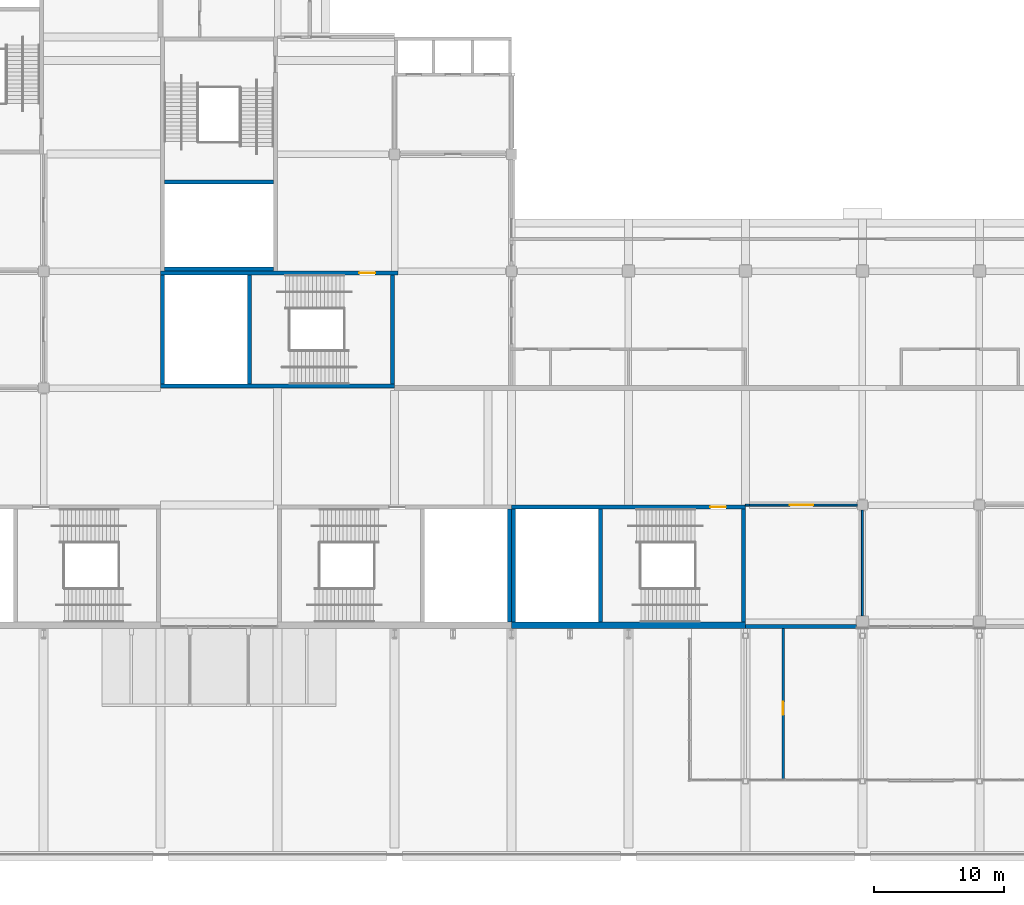
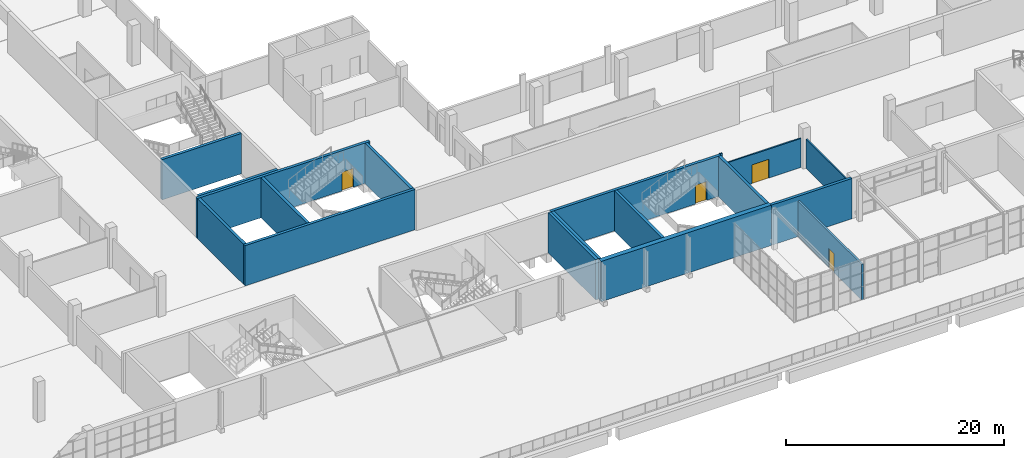
# One storey, part 93 of 168: 18 walls, 4 doors, 4 openings.
"""IFC4 building model written with IfcOpenShell, lengths in metres."""

from ifc_helpers import new_model, si_unit, direction, frame, frame_2d, origin, place, context, subcontext, project, spatial, rectangle, extrude, material, layer, layer_set, type_object, element, fill, save


model = new_model("IFC4")

# Units and contexts
model_context = context("Model", 3, precision=1e-05, world=origin(), true_north=direction((0.0, 1.0)))
body_context = subcontext(model_context, "Body", "Model", "MODEL_VIEW")
ifc_project = project(units=[si_unit("LENGTHUNIT", "METRE"), si_unit("AREAUNIT", "SQUARE_METRE"), si_unit("VOLUMEUNIT", "CUBIC_METRE"), si_unit("PLANEANGLEUNIT", "RADIAN"), si_unit("MASSUNIT", "GRAM", prefix="KILO")], contexts=[model_context])

# Site, building, storey
site_placement = place(None, origin())
site = spatial("IfcSite", under=ifc_project, at=site_placement, CompositionType="ELEMENT")
building_placement = place(site_placement, origin())
building = spatial("IfcBuilding", under=site, at=building_placement, Name="Silverbay Arena", CompositionType="ELEMENT")
storey_placement = place(building_placement, frame((0.0, 0.0, 7.0)))
storey = spatial("IfcBuildingStorey", under=building, at=storey_placement, Name="L01", CompositionType="ELEMENT", Elevation=7.0)

# Walls
ifc_material_1 = material(Name="Concrete Grade C45 precast, board-marked finish", Category="concrete")
ifc_layer_1 = layer(ifc_material_1, 0.300048828125)
ifc_layer_set_1 = layer_set([ifc_layer_1], Name="Concrete Grade C45 precast, board-marked finish")
wall_type_1 = type_object("IfcWallType", Name="Board-marked precast wall 300", PredefinedType="SOLIDWALL", material=ifc_layer_set_1)
wall_1_placement = place(storey_placement, frame((117.0, 17.64990234375, 0.0), z_axis=(0.0, 0.0, 1.0), x_axis=(1.0, 0.0, 0.0)))
element("IfcWall", 1, at=wall_1_placement, inside=storey, type_object=wall_type_1, Name="South external wall L01 bay 11", PredefinedType="SOLIDWALL", context=body_context, shape_type="SweptSolid", body=[
    extrude(rectangle(XDim=8.550048828125, YDim=0.300048828125, at=frame_2d((4.27490234375, 0.0))), origin(), (0.0, 0.0, 1.0), 4.5),
])
ifc_material_2 = material(Name="Concrete Grade C45", Category="concrete")
ifc_layer_2 = layer(ifc_material_2, 0.300048828125)
ifc_layer_set_2 = layer_set([ifc_layer_2], Name="Concrete Grade C45")
wall_type_2 = type_object("IfcWallType", Name="Core wall RC 300 EI 120", PredefinedType="SHEAR", material=ifc_layer_set_2)
wall_2_placement = place(storey_placement, frame((98.85009765625, 26.699951171875, 0.0), z_axis=(0.0, 0.0, 1.0), x_axis=(0.0, -1.0, 0.0)))
element("IfcWall", 2, at=wall_2_placement, inside=storey, type_object=wall_type_2, Name="Core wall ST-S1 L01 end 2", PredefinedType="SHEAR", context=body_context, shape_type="SweptSolid", body=[
    extrude(rectangle(XDim=8.699951171875, YDim=0.300048828125, at=frame_2d((4.35009765625, 0.0))), origin(), (0.0, 0.0, 1.0), 4.5),
])

# Wall, opening, door
wall_3_placement = place(storey_placement, frame((117.0, 26.85009765625, 0.0), z_axis=(0.0, 0.0, 1.0), x_axis=(-1.0, 0.0, 0.0)))
wall_3 = element("IfcWall", 3, at=wall_3_placement, inside=storey, type_object=wall_type_2, Name="Core wall ST-S2 L01 door side", PredefinedType="SHEAR", context=body_context, shape_type="SweptSolid", body=[
    extrude(rectangle(XDim=18.0, YDim=0.300048828125, at=frame_2d((9.0, 0.0))), origin(), (0.0, 0.0, 1.0), 4.5),
])
opening_1_placement = place(wall_3_placement, frame((1.5, 0.0, 0.0)))
opening_1 = element("IfcOpeningElement", 4, at=opening_1_placement, cuts=wall_3, Name="Opening L01-102", PredefinedType="OPENING", context=body_context, shape_type="SweptSolid", body=[
    extrude(rectangle(XDim=1.199951171875, YDim=2.10009765625, at=frame_2d((0.60009765625, 1.050048828125))), frame((0.0, 0.16015625, 0.0), z_axis=(0.0, -1.0, 0.0), x_axis=(1.0, 0.0, 0.0)), (0.0, 0.0, 1.0), 0.320068359375),
])
ifc_material_3 = material(Name="Steel fire door", Category="steel")
door_type_1 = type_object("IfcDoorType", Name="Stair door 1200 x 2100 fire door", OperationType="SINGLE_SWING_LEFT", PredefinedType="DOOR", material=ifc_material_3)
door_1_placement = place(opening_1_placement, origin())
door_1 = element("IfcDoor", 5, at=door_1_placement, inside=storey, type_object=door_type_1, Name="Stair door ST-S2 L01", OperationType="SINGLE_SWING_LEFT", OverallHeight=2.10009765625, OverallWidth=1.199951171875, PredefinedType="DOOR", context=body_context, shape_type="SweptSolid", body=[
    extrude(rectangle(XDim=1.199951171875, YDim=2.10009765625, at=frame_2d((0.60009765625, 1.050048828125))), frame((0.0, 0.02490234375, 0.0), z_axis=(0.0, -1.0, 0.0), x_axis=(1.0, 0.0, 0.0)), (0.0, 0.0, 1.0), 0.050048828125),
])
fill(opening_1, door_1)

# Walls
for number, where, z_axis, x_axis, name in (
    (6, (116.85009765625, 26.699951171875, 0.0), (0.0, 0.0, 1.0), (0.0, -1.0, 0.0), "Core wall ST-S2 L01 end 1"),
    (7, (99.14990234375, 26.699951171875, 0.0), (0.0, 0.0, 1.0), (0.0, -1.0, 0.0), "Core wall ST-S2 L01 end 2"),
    (8, (105.85009765625, 26.699951171875, 0.0), (0.0, 0.0, 1.0), (0.0, -1.0, 0.0), "Core wall ST-S2 L01 stair enclosure"),
):
    element("IfcWall", number, at=place(storey_placement, frame(where, z_axis=z_axis, x_axis=x_axis)), inside=storey, type_object=wall_type_2, Name=name, PredefinedType="SHEAR", context=body_context, shape_type="SweptSolid", body=[
        extrude(rectangle(XDim=8.699951171875, YDim=0.300048828125, at=frame_2d((4.35009765625, 0.0))), origin(), (0.0, 0.0, 1.0), 4.5),
    ])

# Wall, opening, door
wall_4_placement = place(storey_placement, frame((90.25, 44.85009765625, 0.0), z_axis=(0.0, 0.0, 1.0), x_axis=(-1.0, 0.0, 0.0)))
wall_4 = element("IfcWall", 9, at=wall_4_placement, inside=storey, type_object=wall_type_2, Name="Core wall ST-SW1 L01 door side", PredefinedType="SHEAR", context=body_context, shape_type="SweptSolid", body=[
    extrude(rectangle(XDim=18.25, YDim=0.300048828125, at=frame_2d((9.125, 0.0))), origin(), (0.0, 0.0, 1.0), 4.5),
])
opening_2_placement = place(wall_4_placement, frame((1.75, 0.0, 0.0)))
opening_2 = element("IfcOpeningElement", 10, at=opening_2_placement, cuts=wall_4, Name="Opening L01-117", PredefinedType="OPENING", context=body_context, shape_type="SweptSolid", body=[
    extrude(rectangle(XDim=1.199951171875, YDim=2.10009765625, at=frame_2d((0.60009765625, 1.050048828125))), frame((0.0, 0.16015625, 0.0), z_axis=(0.0, -1.0, 0.0), x_axis=(1.0, 0.0, 0.0)), (0.0, 0.0, 1.0), 0.320068359375),
])
door_2_placement = place(opening_2_placement, origin())
door_2 = element("IfcDoor", 11, at=door_2_placement, inside=storey, type_object=door_type_1, Name="Stair door ST-SW1 L01", OperationType="SINGLE_SWING_LEFT", OverallHeight=2.10009765625, OverallWidth=1.199951171875, PredefinedType="DOOR", context=body_context, shape_type="SweptSolid", body=[
    extrude(rectangle(XDim=1.199951171875, YDim=2.10009765625, at=frame_2d((0.60009765625, 1.050048828125))), frame((0.0, 0.02490234375, 0.0), z_axis=(0.0, -1.0, 0.0), x_axis=(1.0, 0.0, 0.0)), (0.0, 0.0, 1.0), 0.050048828125),
])
fill(opening_2, door_2)

# Walls
wall_5_placement = place(storey_placement, frame((90.0, 36.14990234375, 0.0), z_axis=(0.0, 0.0, 1.0), x_axis=(-1.0, 0.0, 0.0)))
element("IfcWall", 12, at=wall_5_placement, inside=storey, type_object=wall_type_2, Name="Core wall ST-SW1 L01 far side", PredefinedType="SHEAR", context=body_context, shape_type="SweptSolid", body=[
    extrude(rectangle(XDim=18.0, YDim=0.300048828125, at=frame_2d((9.0, 0.0))), origin(), (0.0, 0.0, 1.0), 4.5),
])
for number, where, z_axis, x_axis, name in (
    (13, (89.85009765625, 44.699951171875, 0.0), (0.0, 0.0, 1.0), (0.0, -1.0, 0.0), "Core wall ST-SW1 L01 end 1"),
    (14, (72.14990234375, 44.699951171875, 0.0), (0.0, 0.0, 1.0), (0.0, -1.0, 0.0), "Core wall ST-SW1 L01 end 2"),
    (15, (78.85009765625, 44.699951171875, 0.0), (0.0, 0.0, 1.0), (0.0, -1.0, 0.0), "Core wall ST-SW1 L01 stair enclosure"),
    (16, (80.699951171875, 45.14990234375, 0.0), (0.0, 0.0, 1.0), (-1.0, 0.0, 0.0), "Core wall ST-SW2 L01 end 2"),
    (17, (80.699951171875, 51.85009765625, 0.0), (0.0, 0.0, 1.0), (-1.0, 0.0, 0.0), "Core wall ST-SW2 L01 stair enclosure"),
):
    element("IfcWall", number, at=place(storey_placement, frame(where, z_axis=z_axis, x_axis=x_axis)), inside=storey, type_object=wall_type_2, Name=name, PredefinedType="SHEAR", context=body_context, shape_type="SweptSolid", body=[
        extrude(rectangle(XDim=8.39990234375, YDim=0.300048828125, at=frame_2d((4.199951171875, 0.0))), origin(), (0.0, 0.0, 1.0), 4.5),
    ])
ifc_material_4 = material(Name="Concrete Grade C45", Category="concrete")
ifc_layer_3 = layer(ifc_material_4, 0.5)
ifc_layer_set_3 = layer_set([ifc_layer_3], Name="Concrete Grade C45")
wall_type_3 = type_object("IfcWallType", Name="Core wall RC 500 external EI 120", PredefinedType="SHEAR", material=ifc_layer_set_3)
wall_6_placement = place(storey_placement, frame((117.0, 17.75, 0.0), z_axis=(0.0, 0.0, 1.0), x_axis=(-1.0, 0.0, 0.0)))
element("IfcWall", 18, at=wall_6_placement, inside=storey, type_object=wall_type_3, Name="Core wall ST-S2 L01 facade side", PredefinedType="SHEAR", context=body_context, shape_type="SweptSolid", body=[
    extrude(rectangle(XDim=18.0, YDim=0.5, at=frame_2d((9.0, 0.0))), origin(), (0.0, 0.0, 1.0), 4.5),
])

# Wall, opening, door
ifc_material_5 = material(Name="Gypsum board partition on steel studs", Category="steel")
ifc_layer_4 = layer(ifc_material_5, 0.14990234375)
ifc_layer_set_4 = layer_set([ifc_layer_4], Name="Gypsum board partition on steel studs")
wall_type_4 = type_object("IfcWallType", Name="Partition 150 EI 60", PredefinedType="PARTITIONING", material=ifc_layer_set_4)
wall_7_placement = place(storey_placement, frame((117.300048828125, 27.0, 0.0), z_axis=(0.0, 0.0, 1.0), x_axis=(1.0, 0.0, 0.0)))
wall_7 = element("IfcWall", 19, at=wall_7_placement, inside=storey, type_object=wall_type_4, Name="Partition wall", PredefinedType="PARTITIONING", context=body_context, shape_type="SweptSolid", body=[
    extrude(rectangle(XDim=8.300048828125, YDim=0.14990234375, at=frame_2d((4.14990234375, 0.0))), origin(), (0.0, 0.0, 1.0), 3.25),
])
opening_3_placement = place(wall_7_placement, frame((3.10009765625, 0.0, 0.0)))
opening_3 = element("IfcOpeningElement", 20, at=opening_3_placement, cuts=wall_7, Name="Opening L01-001", PredefinedType="OPENING", context=body_context, shape_type="SweptSolid", body=[
    extrude(rectangle(XDim=1.800048828125, YDim=2.10009765625, at=frame_2d((0.89990234375, 1.050048828125))), frame((0.0, 0.0849609375, 0.0), z_axis=(0.0, -1.0, 0.0), x_axis=(1.0, 0.0, 0.0)), (0.0, 0.0, 1.0), 0.169921875),
])
ifc_material_6 = material(Name="Steel faced timber", Category="steel")
door_type_2 = type_object("IfcDoorType", Name="Double leaf door 1800 x 2100 FD30S", OperationType="DOUBLE_DOOR_DOUBLE_SWING", PredefinedType="DOOR", material=ifc_material_6)
door_3_placement = place(opening_3_placement, frame((1.800048828125, 0.0, 0.0), z_axis=(0.0, 0.0, 1.0), x_axis=(-1.0, 0.0, 0.0)))
door_3 = element("IfcDoor", 21, at=door_3_placement, inside=storey, type_object=door_type_2, Name="Door L01-001", OperationType="DOUBLE_DOOR_DOUBLE_SWING", OverallHeight=2.10009765625, OverallWidth=1.800048828125, PredefinedType="DOOR", context=body_context, shape_type="SweptSolid", body=[
    extrude(rectangle(XDim=1.800048828125, YDim=2.10009765625, at=frame_2d((0.89990234375, 1.050048828125))), frame((0.0, 0.02490234375, 0.0), z_axis=(0.0, -1.0, 0.0), x_axis=(1.0, 0.0, 0.0)), (0.0, 0.0, 1.0), 0.050048828125),
])
fill(opening_3, door_3)

# Walls
wall_8_placement = place(storey_placement, frame((126.0, 18.449951171875, 0.0), z_axis=(0.0, 0.0, 1.0), x_axis=(0.0, 1.0, 0.0)))
element("IfcWall", 22, at=wall_8_placement, inside=storey, type_object=wall_type_4, Name="Partition wall", PredefinedType="PARTITIONING", context=body_context, shape_type="SweptSolid", body=[
    extrude(rectangle(XDim=8.150146484375, YDim=0.14990234375, at=frame_2d((4.0751953125, 0.0))), origin(), (0.0, 0.0, 1.0), 3.25),
])
wall_9_placement = place(storey_placement, frame((117.0, 27.0, 0.0), z_axis=(0.0, 0.0, 1.0), x_axis=(1.0, 0.0, 0.0)))
element("IfcWall", 23, at=wall_9_placement, inside=storey, type_object=wall_type_4, Name="Partition wall", PredefinedType="PARTITIONING", context=body_context, shape_type="SweptSolid", body=[
    extrude(rectangle(XDim=0.300048828125, YDim=0.14990234375, at=frame_2d((0.14990234375, 0.0))), origin(), (0.0, 0.0, 1.0), 4.5),
])

# Wall, opening, door
ifc_material_7 = material(Name="Masonry blockwork partition", Category="masonry")
ifc_layer_5 = layer(ifc_material_7, 0.199951171875)
ifc_layer_set_5 = layer_set([ifc_layer_5], Name="Masonry blockwork partition")
wall_type_5 = type_object("IfcWallType", Name="Partition 200 EI 120", PredefinedType="PARTITIONING", material=ifc_layer_set_5)
wall_10_placement = place(storey_placement, frame((119.89990234375, 5.81005859375, 0.0), z_axis=(0.0, 0.0, 1.0), x_axis=(0.0, 1.0, 0.0)))
wall_10 = element("IfcWall", 24, at=wall_10_placement, inside=storey, type_object=wall_type_5, Name="Partition wall", PredefinedType="PARTITIONING", context=body_context, shape_type="SweptSolid", body=[
    extrude(rectangle(XDim=11.68994140625, YDim=0.199951171875, at=frame_2d((5.844970703125, 0.0))), origin(), (0.0, 0.0, 1.0), 3.98291015625),
])
opening_4_placement = place(wall_10_placement, frame((5.0400390625, 0.0, 0.0)))
opening_4 = element("IfcOpeningElement", 25, at=opening_4_placement, cuts=wall_10, Name="Opening L01-169", PredefinedType="OPENING", context=body_context, shape_type="SweptSolid", body=[
    extrude(rectangle(XDim=1.0, YDim=2.10009765625, at=frame_2d((0.5, 1.050048828125))), frame((0.0, 0.10986328125, 0.0), z_axis=(0.0, -1.0, 0.0), x_axis=(1.0, 0.0, 0.0)), (0.0, 0.0, 1.0), 0.219970703125),
])
ifc_material_8 = material(Name="Steel faced timber", Category="steel")
door_type_3 = type_object("IfcDoorType", Name="Single leaf door 1000 x 2100 FD120", OperationType="SINGLE_SWING_LEFT", PredefinedType="DOOR", material=ifc_material_8)
door_4_placement = place(opening_4_placement, frame((1.0, 0.0, 0.0), z_axis=(0.0, 0.0, 1.0), x_axis=(-1.0, 0.0, 0.0)))
door_4 = element("IfcDoor", 26, at=door_4_placement, inside=storey, type_object=door_type_3, Name="Door L01-169", OperationType="SINGLE_SWING_RIGHT", OverallHeight=2.10009765625, OverallWidth=1.0, PredefinedType="DOOR", context=body_context, shape_type="SweptSolid", body=[
    extrude(rectangle(XDim=1.0, YDim=2.10009765625, at=frame_2d((0.5, 1.050048828125))), frame((0.0, 0.02490234375, 0.0), z_axis=(0.0, -1.0, 0.0), x_axis=(1.0, 0.0, 0.0)), (0.0, 0.0, 1.0), 0.050048828125),
])
fill(opening_4, door_4)

save(model, "model.ifc")
